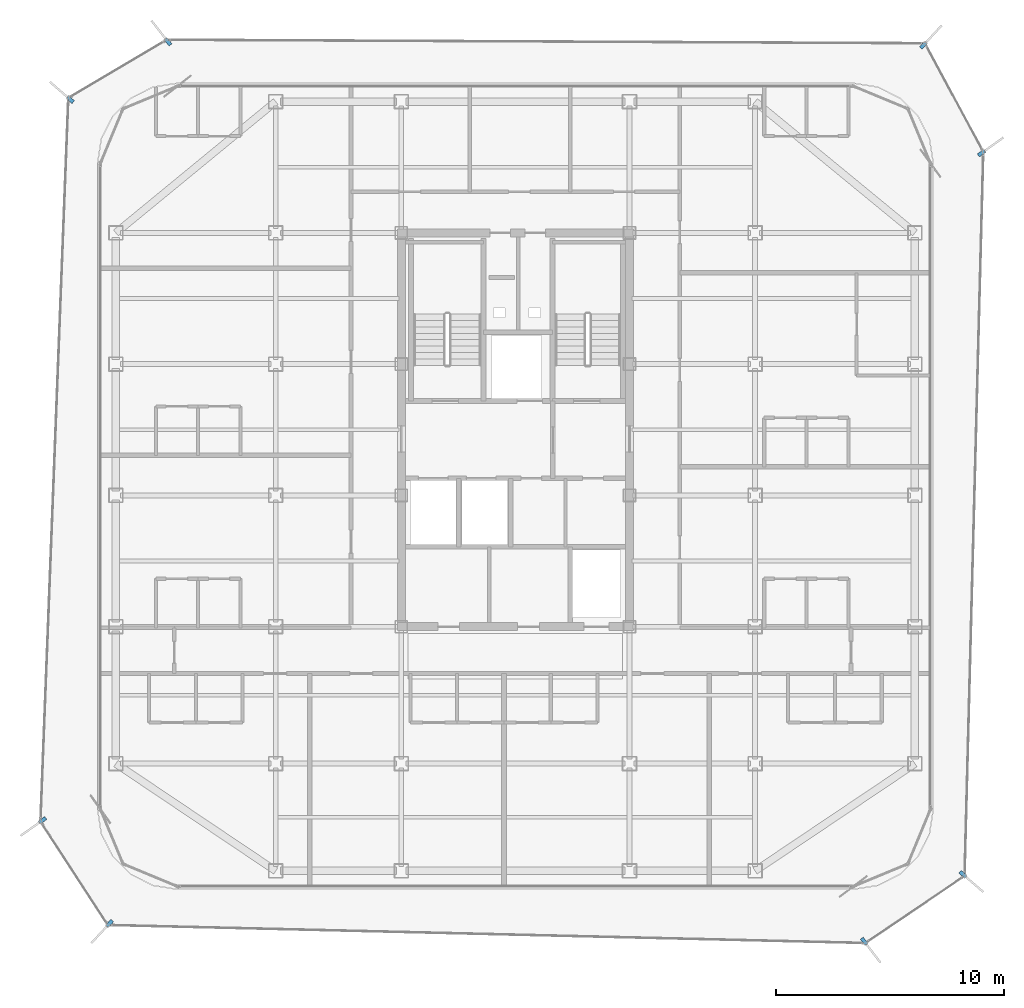
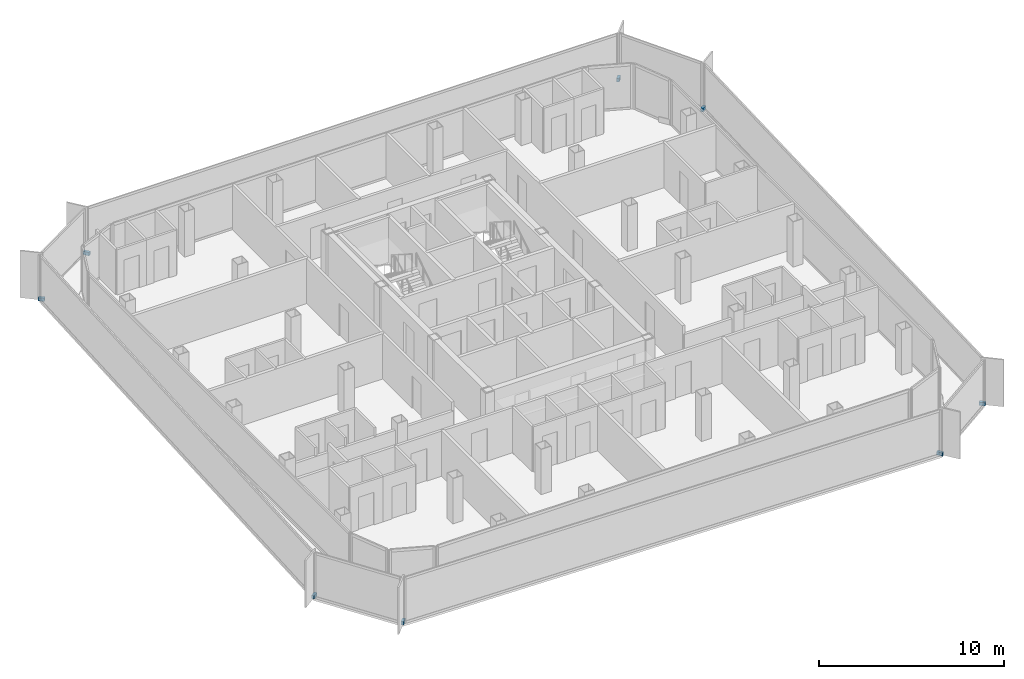
# One storey, part 13 of 16: 8 discrete accessories.
"""IFC4 building model written with IfcOpenShell, lengths in metres."""

from ifc_helpers import new_model, si_unit, direction, frame, origin, origin_2d, place, context, subcontext, project, spatial, rectangle, extrude, source, transform, mapped, material, type_object, element, save


model = new_model("IFC4")

# Units and contexts
model_context = context("Model", 3, precision=1e-05, world=origin(), true_north=direction((0.0, 1.0)))
body_context = subcontext(model_context, "Body", "Model", "MODEL_VIEW")
ifc_project = project(units=[si_unit("LENGTHUNIT", "METRE"), si_unit("AREAUNIT", "SQUARE_METRE"), si_unit("VOLUMEUNIT", "CUBIC_METRE"), si_unit("PLANEANGLEUNIT", "RADIAN"), si_unit("MASSUNIT", "GRAM", prefix="KILO")], contexts=[model_context])

# Site, building, storey
site_placement = place(None, origin())
site = spatial("IfcSite", under=ifc_project, at=site_placement, CompositionType="ELEMENT")
building_placement = place(site_placement, origin())
building = spatial("IfcBuilding", under=site, at=building_placement, Name="Kolveth Station Tower", CompositionType="ELEMENT")
storey_placement = place(building_placement, frame((0.0, 0.0, 236.10009765625)))
storey = spatial("IfcBuildingStorey", under=building, at=storey_placement, Name="L67", CompositionType="ELEMENT", Elevation=236.10009765625)

# Discrete accessories
ifc_material = material(Name="Steel S355", Category="steel")
discrete_accessory_type = type_object("IfcDiscreteAccessoryType", Name="Bracket_BK1", PredefinedType="BRACKET", material=ifc_material)
shared_shape = source(origin(), body_context, "Body", "SweptSolid", [
    extrude(rectangle(XDim=0.35009765625, YDim=0.159912109375, at=origin_2d()), origin(), (0.0, 0.0, 1.0), 0.219970703125),
])
for number, where, z_axis, x_axis, name in (
    (1, (38.777099609375, -2.284912109375, -0.06005859375), (0.0, 0.0, 1.0), (0.608207415585, -0.793778142573, 0.0), "L67 Double-Skin Radial Tie Bracket 1"),
    (2, (43.10791015625, 0.64794921875, -0.06005859375), (0.0, 0.0, 1.0), (0.755510544084, -0.6551364879, 0.0), "L67 Double-Skin Radial Tie Bracket 2"),
    (3, (43.9208984375, 32.2451171875, -0.06005859375), (0.0, 0.0, 1.0), (0.813608449501, 0.58141318432, 0.0), "L67 Double-Skin Radial Tie Bracket 3"),
    (4, (41.376953125, 36.97509765625, -0.06005859375), (0.0, 0.0, 1.0), (0.679057031084, 0.734085518544, 0.0), "L67 Double-Skin Radial Tie Bracket 4"),
    (5, (8.281005859375, 37.1220703125, -0.06005859375), (0.0, 0.0, 1.0), (-0.61579899977, 0.787903288407, 0.0), "L67 Double-Skin Radial Tie Bracket 5"),
    (6, (3.9990234375, 34.591064453125, -0.06005859375), (0.0, 0.0, 1.0), (-0.754938542041, 0.655795545685, 0.0), "L67 Double-Skin Radial Tie Bracket 6"),
    (7, (2.783935546875, 3.01806640625, -0.06005859375), (0.0, 0.0, 1.0), (-0.816742273561, -0.577002650408, 0.0), "L67 Double-Skin Radial Tie Bracket 7"),
    (8, (5.721923828125, -1.5029296875, -0.06005859375), (0.0, 0.0, 1.0), (-0.6803372171, -0.732899222969, 0.0), "L67 Double-Skin Radial Tie Bracket 8"),
):
    element("IfcDiscreteAccessory", number, at=place(storey_placement, frame(where, z_axis=z_axis, x_axis=x_axis)), inside=storey, type_object=discrete_accessory_type, Name=name, PredefinedType="BRACKET", context=body_context, shape_type="MappedRepresentation", body=[
        mapped(shared_shape, transform((0.0, 0.0, 0.0), x_axis=(1.0, 0.0, 0.0), y_axis=(0.0, 1.0, 0.0), z_axis=(0.0, 0.0, 1.0), scale=1.0)),
    ])

save(model, "model.ifc")
